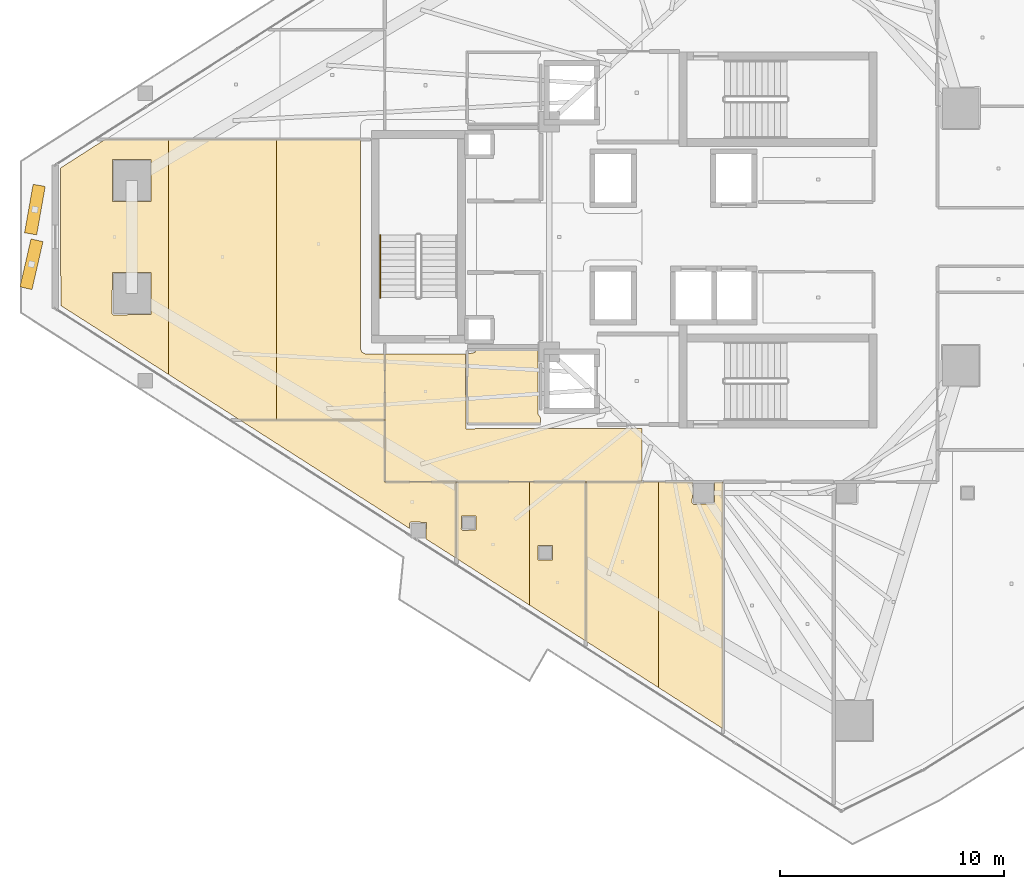
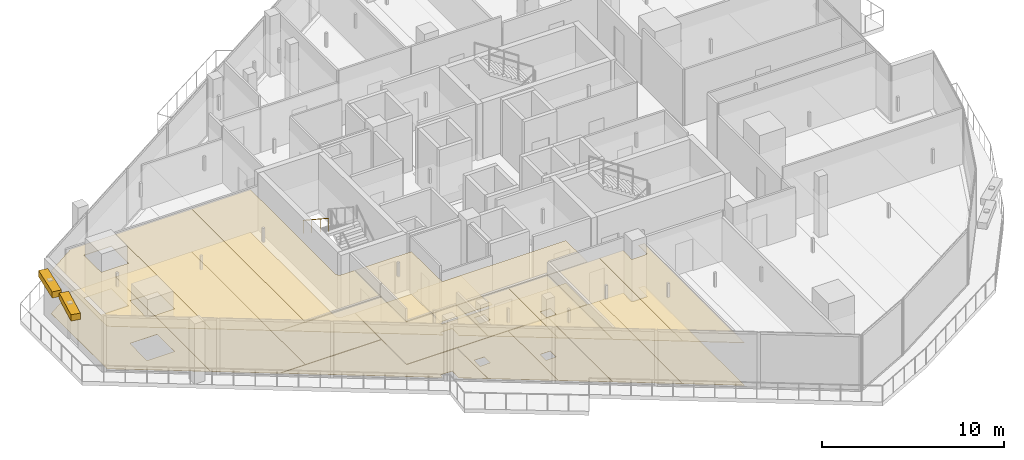
# One storey, part 30 of 36: 19 coverings, 2 shading devices, 1 railing.
"""IFC4 building model written with IfcOpenShell, lengths in metres."""

from ifc_helpers import new_model, si_unit, direction, frame, origin, origin_2d, place, context, subcontext, project, spatial, polyline, rectangle, circle, outline, extrude, material, layer, layer_set, type_object, element, save


model = new_model("IFC4")

# Units and contexts
model_context = context("Model", 3, precision=1e-05, world=origin(), true_north=direction((0.0, 1.0)))
body_context = subcontext(model_context, "Body", "Model", "MODEL_VIEW")
ifc_project = project(units=[si_unit("LENGTHUNIT", "METRE"), si_unit("AREAUNIT", "SQUARE_METRE"), si_unit("VOLUMEUNIT", "CUBIC_METRE"), si_unit("PLANEANGLEUNIT", "RADIAN"), si_unit("MASSUNIT", "GRAM", prefix="KILO")], contexts=[model_context])

# Site, building, storey
site_placement = place(None, origin())
site = spatial("IfcSite", under=ifc_project, at=site_placement, CompositionType="ELEMENT")
building_placement = place(site_placement, origin())
building = spatial("IfcBuilding", under=site, at=building_placement, Name="Qorvath Tower", CompositionType="ELEMENT")
storey_placement = place(building_placement, frame((0.0, 0.0, 241.5)))
storey = spatial("IfcBuildingStorey", under=building, at=storey_placement, Name="L56", CompositionType="ELEMENT", Elevation=241.5)

# Coverings
ifc_material_1 = material(Name="Acoustic mineral fibre ceiling tile", Category="gypsum")
ifc_layer_1 = layer(ifc_material_1, 0.030029296875)
ifc_layer_set_1 = layer_set([ifc_layer_1], Name="COV-CEIL")
covering_type_1 = type_object("IfcCoveringType", Name="COV-CEIL", PredefinedType="CEILING", material=ifc_layer_set_1)
covering_1_placement = place(storey_placement, frame((0.0, 0.0, 2.85009765625)))
element("IfcCovering", 1, at=covering_1_placement, inside=storey, type_object=covering_type_1, Name="L56 Suspended Acoustic Ceiling 009", PredefinedType="CEILING", context=body_context, shape_type="SweptSolid", body=[
    extrude(outline(polyline([(-34.22509765625, -8.580078125), (-34.251220703125, -5.239990234375), (-37.844970703125, -5.239990234375), (-37.844970703125, -10.945068359375), (-26.34716796875, -10.945068359375), (-26.34716796875, -8.574951171875), (-34.22509765625, -8.580078125)])), origin(), (0.0, 0.0, 1.0), 0.030029296875),
])
covering_2_placement = place(storey_placement, frame((0.0, 0.0, 2.85009765625)))
element("IfcCovering", 2, at=covering_2_placement, inside=storey, type_object=covering_type_1, Name="L56 Suspended Acoustic Ceiling 021", PredefinedType="CEILING", context=body_context, shape_type="SweptSolid", body=[
    extrude(outline(polyline([(-34.64501953125, -10.962890625), (-34.64501953125, -14.384033203125), (-31.391357421875, -16.463623046875), (-31.391357421875, -10.962890625), (-34.64501953125, -10.962890625)]), holes=[polyline([(-34.439208984375, -13.0673828125), (-34.421630859375, -12.47509765625), (-33.786865234375, -12.47509765625), (-33.786865234375, -13.10986328125), (-34.379150390625, -13.12744140625), (-34.439208984375, -13.0673828125)])]), origin(), (0.0, 0.0, 1.0), 0.030029296875),
])
covering_3_placement = place(storey_placement, frame((0.0, 0.0, 2.85009765625)))
element("IfcCovering", 3, at=covering_3_placement, inside=storey, type_object=covering_type_1, Name="L56 Suspended Acoustic Ceiling 022", PredefinedType="CEILING", context=body_context, shape_type="SweptSolid", body=[
    extrude(outline(polyline([(-31.391357421875, -10.962890625), (-31.391357421875, -16.463623046875), (-28.86767578125, -18.07666015625), (-28.86767578125, -10.962890625), (-31.391357421875, -10.962890625)]), holes=[polyline([(-30.99462890625, -14.441650390625), (-30.99462890625, -13.806884765625), (-30.35986328125, -13.806884765625), (-30.35986328125, -14.441650390625), (-30.99462890625, -14.441650390625)])]), origin(), (0.0, 0.0, 1.0), 0.030029296875),
])
covering_4_placement = place(storey_placement, frame((0.0, 0.0, 2.85009765625)))
element("IfcCovering", 4, at=covering_4_placement, inside=storey, type_object=covering_type_1, Name="L56 Suspended Acoustic Ceiling 023", PredefinedType="CEILING", context=body_context, shape_type="SweptSolid", body=[
    extrude(outline(polyline([(-28.849609375, -10.962890625), (-28.849609375, -18.088134765625), (-25.610107421875, -20.158447265625), (-25.610107421875, -10.962890625), (-28.849609375, -10.962890625)])), origin(), (0.0, 0.0, 1.0), 0.030029296875),
])
covering_5_placement = place(storey_placement, frame((0.0, 0.0, 2.85009765625)))
element("IfcCovering", 5, at=covering_5_placement, inside=storey, type_object=covering_type_1, Name="L56 Suspended Acoustic Ceiling 024", PredefinedType="CEILING", context=body_context, shape_type="SweptSolid", body=[
    extrude(outline(polyline([(-25.610107421875, -10.962890625), (-25.610107421875, -20.158447265625), (-22.738037109375, -21.994140625), (-22.738037109375, -10.962890625), (-23.105224609375, -10.962890625), (-23.107666015625, -11.9423828125), (-24.050048828125, -11.9599609375), (-24.110107421875, -11.89990234375), (-24.0947265625, -10.962890625), (-25.610107421875, -10.962890625)])), origin(), (0.0, 0.0, 1.0), 0.030029296875),
])
covering_6_placement = place(storey_placement, frame((0.0, 0.0, 2.85009765625)))
element("IfcCovering", 6, at=covering_6_placement, inside=storey, type_object=covering_type_1, Name="L56 Suspended Acoustic Ceiling 038", PredefinedType="CEILING", context=body_context, shape_type="SweptSolid", body=[
    extrude(outline(polyline([(-44.32763671875, -8.19580078125), (-36.749755859375, -13.0390625), (-36.749755859375, -12.810546875), (-36.689697265625, -12.75048828125), (-35.997314453125, -12.76806640625), (-36.013427734375, -13.509521484375), (-34.6630859375, -14.37255859375), (-34.6630859375, -10.962890625), (-37.861572265625, -10.96142578125), (-37.863037109375, -8.19580078125), (-44.32763671875, -8.19580078125)])), origin(), (0.0, 0.0, 1.0), 0.030029296875),
])
covering_7_placement = place(storey_placement, frame((0.0, 0.0, 2.85009765625)))
element("IfcCovering", 7, at=covering_7_placement, inside=storey, type_object=covering_type_1, Name="L56 Suspended Acoustic Ceiling 039", PredefinedType="CEILING", context=body_context, shape_type="SweptSolid", body=[
    extrude(outline(polyline([(-50.37646484375, 4.353271484375), (-52.364501953125, 3.07861328125), (-52.34619140625, -3.07080078125), (-47.53076171875, -6.1484375), (-47.53076171875, 4.353759765625), (-50.37646484375, 4.353271484375)]), holes=[polyline([(-50.056884765625, -3.427734375), (-50.039306640625, -1.58544921875), (-48.304443359375, -1.58544921875), (-48.304443359375, -3.47021484375), (-49.996826171875, -3.48779296875), (-50.056884765625, -3.427734375)]), polyline([(-50.039306640625, 1.58544921875), (-50.039306640625, 3.47021484375), (-48.304443359375, 3.47021484375), (-48.304443359375, 1.58544921875), (-50.039306640625, 1.58544921875)])]), origin(), (0.0, 0.0, 1.0), 0.030029296875),
])
covering_8_placement = place(storey_placement, frame((0.0, 0.0, 2.85009765625)))
element("IfcCovering", 8, at=covering_8_placement, inside=storey, type_object=covering_type_1, Name="L56 Suspended Acoustic Ceiling 040", PredefinedType="CEILING", context=body_context, shape_type="SweptSolid", body=[
    extrude(outline(polyline([(-47.53076171875, 4.353759765625), (-47.53076171875, -6.1484375), (-44.355712890625, -8.177734375), (-42.69677734375, -8.177734375), (-42.69677734375, 4.3544921875), (-47.53076171875, 4.353759765625)])), origin(), (0.0, 0.0, 1.0), 0.030029296875),
])
covering_9_placement = place(storey_placement, frame((0.0, 0.0, 2.85009765625)))
element("IfcCovering", 9, at=covering_9_placement, inside=storey, type_object=covering_type_1, Name="L56 Suspended Acoustic Ceiling 041", PredefinedType="CEILING", context=body_context, shape_type="SweptSolid", body=[
    extrude(outline(polyline([(-42.69677734375, 4.3544921875), (-42.69677734375, -8.177734375), (-37.863037109375, -8.177734375), (-37.863037109375, -5.239990234375), (-38.699951171875, -5.239990234375), (-38.876708984375, -5.166748046875), (-38.949951171875, -4.989990234375), (-38.949951171875, 4.35498046875), (-42.69677734375, 4.3544921875)])), origin(), (0.0, 0.0, 1.0), 0.030029296875),
])
ifc_material_2 = material(Name="Low-VOC modular carpet tile", Category="textile")
ifc_layer_2 = layer(ifc_material_2, 0.014892578125)
ifc_layer_set_2 = layer_set([ifc_layer_2], Name="COV-FLOOR-CPT")
covering_type_2 = type_object("IfcCoveringType", Name="COV-FLOOR-CPT", PredefinedType="FLOORING", material=ifc_layer_set_2)
covering_10_placement = place(storey_placement, origin())
element("IfcCovering", 10, at=covering_10_placement, inside=storey, type_object=covering_type_2, Name="L56 Floor Finish 021", PredefinedType="FLOORING", context=body_context, shape_type="SweptSolid", body=[
    extrude(outline(polyline([(-34.64501953125, -10.962890625), (-34.64501953125, -14.384033203125), (-31.391357421875, -16.463623046875), (-31.391357421875, -10.962890625), (-34.64501953125, -10.962890625)]), holes=[polyline([(-34.439208984375, -13.0673828125), (-34.421630859375, -12.47509765625), (-33.786865234375, -12.47509765625), (-33.786865234375, -13.10986328125), (-34.379150390625, -13.12744140625), (-34.439208984375, -13.0673828125)])]), origin(), (0.0, 0.0, 1.0), 0.014892578125),
])
covering_11_placement = place(storey_placement, origin())
element("IfcCovering", 11, at=covering_11_placement, inside=storey, type_object=covering_type_2, Name="L56 Floor Finish 022", PredefinedType="FLOORING", context=body_context, shape_type="SweptSolid", body=[
    extrude(outline(polyline([(-31.391357421875, -10.962890625), (-31.391357421875, -16.463623046875), (-28.86767578125, -18.07666015625), (-28.86767578125, -10.962890625), (-31.391357421875, -10.962890625)]), holes=[polyline([(-30.99462890625, -14.441650390625), (-30.99462890625, -13.806884765625), (-30.35986328125, -13.806884765625), (-30.35986328125, -14.441650390625), (-30.99462890625, -14.441650390625)])]), origin(), (0.0, 0.0, 1.0), 0.014892578125),
])
covering_12_placement = place(storey_placement, origin())
element("IfcCovering", 12, at=covering_12_placement, inside=storey, type_object=covering_type_2, Name="L56 Floor Finish 023", PredefinedType="FLOORING", context=body_context, shape_type="SweptSolid", body=[
    extrude(outline(polyline([(-28.849609375, -10.962890625), (-28.849609375, -18.088134765625), (-25.610107421875, -20.158447265625), (-25.610107421875, -10.962890625), (-28.849609375, -10.962890625)])), origin(), (0.0, 0.0, 1.0), 0.014892578125),
])
covering_13_placement = place(storey_placement, origin())
element("IfcCovering", 13, at=covering_13_placement, inside=storey, type_object=covering_type_2, Name="L56 Floor Finish 024", PredefinedType="FLOORING", context=body_context, shape_type="SweptSolid", body=[
    extrude(outline(polyline([(-25.610107421875, -10.962890625), (-25.610107421875, -20.158447265625), (-22.738037109375, -21.994140625), (-22.738037109375, -10.962890625), (-23.105224609375, -10.962890625), (-23.107666015625, -11.9423828125), (-24.050048828125, -11.9599609375), (-24.110107421875, -11.89990234375), (-24.0947265625, -10.962890625), (-25.610107421875, -10.962890625)])), origin(), (0.0, 0.0, 1.0), 0.014892578125),
])
covering_14_placement = place(storey_placement, origin())
element("IfcCovering", 14, at=covering_14_placement, inside=storey, type_object=covering_type_2, Name="L56 Floor Finish 038", PredefinedType="FLOORING", context=body_context, shape_type="SweptSolid", body=[
    extrude(outline(polyline([(-44.32763671875, -8.19580078125), (-36.749755859375, -13.0390625), (-36.749755859375, -12.810546875), (-36.689697265625, -12.75048828125), (-35.997314453125, -12.76806640625), (-36.013427734375, -13.509521484375), (-34.6630859375, -14.37255859375), (-34.6630859375, -10.962890625), (-37.861572265625, -10.96142578125), (-37.863037109375, -8.19580078125), (-44.32763671875, -8.19580078125)])), origin(), (0.0, 0.0, 1.0), 0.014892578125),
])
covering_15_placement = place(storey_placement, origin())
element("IfcCovering", 15, at=covering_15_placement, inside=storey, type_object=covering_type_2, Name="L56 Floor Finish 039", PredefinedType="FLOORING", context=body_context, shape_type="SweptSolid", body=[
    extrude(outline(polyline([(-50.37646484375, 4.353271484375), (-52.364501953125, 3.07861328125), (-52.34619140625, -3.07080078125), (-47.53076171875, -6.1484375), (-47.53076171875, 4.353759765625), (-50.37646484375, 4.353271484375)]), holes=[polyline([(-50.056884765625, -3.427734375), (-50.039306640625, -1.58544921875), (-48.304443359375, -1.58544921875), (-48.304443359375, -3.47021484375), (-49.996826171875, -3.48779296875), (-50.056884765625, -3.427734375)]), polyline([(-50.039306640625, 1.58544921875), (-50.039306640625, 3.47021484375), (-48.304443359375, 3.47021484375), (-48.304443359375, 1.58544921875), (-50.039306640625, 1.58544921875)])]), origin(), (0.0, 0.0, 1.0), 0.014892578125),
])
covering_16_placement = place(storey_placement, origin())
element("IfcCovering", 16, at=covering_16_placement, inside=storey, type_object=covering_type_2, Name="L56 Floor Finish 040", PredefinedType="FLOORING", context=body_context, shape_type="SweptSolid", body=[
    extrude(outline(polyline([(-47.53076171875, 4.353759765625), (-47.53076171875, -6.1484375), (-44.355712890625, -8.177734375), (-42.69677734375, -8.177734375), (-42.69677734375, 4.3544921875), (-47.53076171875, 4.353759765625)])), origin(), (0.0, 0.0, 1.0), 0.014892578125),
])
covering_17_placement = place(storey_placement, origin())
element("IfcCovering", 17, at=covering_17_placement, inside=storey, type_object=covering_type_2, Name="L56 Floor Finish 041", PredefinedType="FLOORING", context=body_context, shape_type="SweptSolid", body=[
    extrude(outline(polyline([(-42.69677734375, 4.3544921875), (-42.69677734375, -8.177734375), (-37.863037109375, -8.177734375), (-37.863037109375, -5.239990234375), (-38.699951171875, -5.239990234375), (-38.876708984375, -5.166748046875), (-38.949951171875, -4.989990234375), (-38.949951171875, 4.35498046875), (-42.69677734375, 4.3544921875)])), origin(), (0.0, 0.0, 1.0), 0.014892578125),
])
ifc_material_3 = material(Name="Polished epoxy terrazzo flooring", Category="concrete")
ifc_layer_3 = layer(ifc_material_3, 0.02001953125)
ifc_layer_set_3 = layer_set([ifc_layer_3], Name="COV-FLOOR-TRZ")
covering_type_3 = type_object("IfcCoveringType", Name="COV-FLOOR-TRZ", PredefinedType="FLOORING", material=ifc_layer_set_3)
covering_18_placement = place(storey_placement, origin())
element("IfcCovering", 18, at=covering_18_placement, inside=storey, type_object=covering_type_3, Name="L56 Floor Finish 007", PredefinedType="FLOORING", context=body_context, shape_type="SweptSolid", body=[
    extrude(outline(polyline([(-30.885009765625, -8.108154296875), (-31.010009765625, -7.909912109375), (-31.010009765625, -5.054931640625), (-33.786865234375, -5.054931640625), (-33.833251953125, -5.166748046875), (-34.175048828125, -5.239990234375), (-34.175048828125, -8.344970703125), (-30.885009765625, -8.344970703125), (-30.885009765625, -8.108154296875)])), origin(), (0.0, 0.0, 1.0), 0.014892578125),
])
covering_19_placement = place(storey_placement, origin())
element("IfcCovering", 19, at=covering_19_placement, inside=storey, type_object=covering_type_3, Name="L56 Floor Finish 009", PredefinedType="FLOORING", context=body_context, shape_type="SweptSolid", body=[
    extrude(outline(polyline([(-34.22509765625, -8.580078125), (-34.251220703125, -5.239990234375), (-37.844970703125, -5.239990234375), (-37.844970703125, -10.945068359375), (-26.34716796875, -10.945068359375), (-26.34716796875, -8.574951171875), (-34.22509765625, -8.580078125)])), origin(), (0.0, 0.0, 1.0), 0.014892578125),
])

# Railing
ifc_material_4 = material(Name="Brushed stainless steel AISI 304", Category="steel")
railing_type = type_object("IfcRailingType", Name="RL-STR-HND", PredefinedType="HANDRAIL", material=ifc_material_4)
railing_placement = place(storey_placement, frame((-38.06005859375, 0.080078125, 2.208984375)))
element("IfcRailing", 20, at=railing_placement, inside=storey, type_object=railing_type, Name="L56 TS3 stair handrail 2", PredefinedType="HANDRAIL", context=body_context, shape_type="SweptSolid", body=[
    extrude(circle(Radius=0.02392578125, at=origin_2d()), frame((0.0, 0.0, 0.8759765625), z_axis=(0.0, -0.83556406348, 0.549393024911), x_axis=(1.0, 0.0, 0.0)), (0.0, 0.0, 1.0), 3.35107421875),
    extrude(circle(Radius=0.02099609375, at=origin_2d()), origin(), (0.0, 0.0, 1.0), 0.851806640625),
    extrude(circle(Radius=0.02099609375, at=origin_2d()), frame((0.0, -0.933349609375, 0.61376953125)), (0.0, 0.0, 1.0), 0.851806640625),
    extrude(circle(Radius=0.02099609375, at=origin_2d()), frame((0.0, -1.86669921875, 1.227294921875)), (0.0, 0.0, 1.0), 0.851806640625),
    extrude(circle(Radius=0.02099609375, at=origin_2d()), frame((0.0, -2.800048828125, 1.841064453125)), (0.0, 0.0, 1.0), 0.851806640625),
])

# Shading devices
ifc_material_5 = material(Name="Anodised bronze-champagne aluminium", Category="aluminium")
shading_device_type = type_object("IfcShadingDeviceType", Name="SD-LOUVRE", PredefinedType="JALOUSIE", material=ifc_material_5)
for number, where, z_axis, x_axis, name in (
    (21, (-53.50634765625, 1.222412109375, 3.360107421875), (0.0, 0.0, 1.0), (-0.173802868764, -0.984780464271, 0.0), "Sinusoidal Wave Louvre Blade L56-01"),
    (22, (-53.658447265625, -1.222412109375, 3.360107421875), (0.0, 0.0, 1.0), (-0.223787686265, -0.97463791814, 0.0), "Sinusoidal Wave Louvre Blade L56-02"),
):
    element("IfcShadingDevice", number, at=place(storey_placement, frame(where, z_axis=z_axis, x_axis=x_axis)), inside=storey, type_object=shading_device_type, Name=name, PredefinedType="NOTDEFINED", context=body_context, shape_type="SweptSolid", body=[
        extrude(rectangle(XDim=2.199951171875, YDim=0.550048828125, at=origin_2d()), origin(), (0.0, 0.0, 1.0), 0.419921875),
    ])

save(model, "model.ifc")
